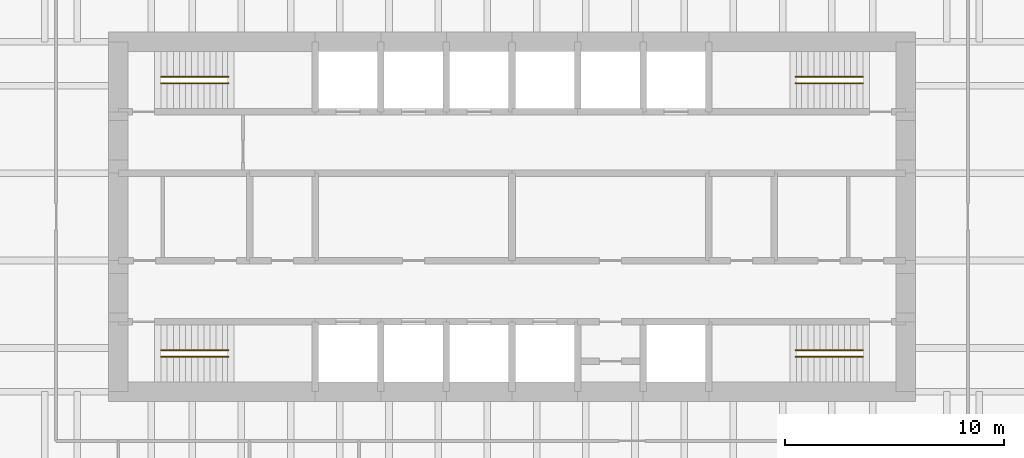
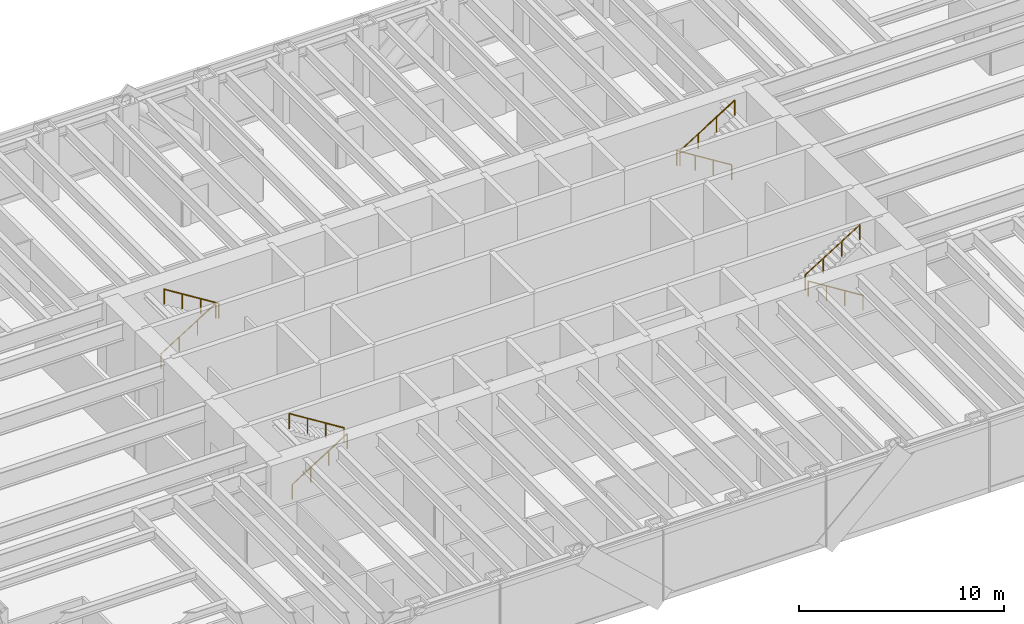
# One storey, part 17 of 17: 8 railings.
"""IFC4 building model written with IfcOpenShell, lengths in metres."""

from ifc_helpers import new_model, si_unit, direction, frame, origin, origin_2d, place, context, subcontext, project, spatial, circle, extrude, material, type_object, element, save


model = new_model("IFC4")

# Units and contexts
model_context = context("Model", 3, precision=1e-05, world=origin(), true_north=direction((0.0, 1.0)))
body_context = subcontext(model_context, "Body", "Model", "MODEL_VIEW")
ifc_project = project(units=[si_unit("LENGTHUNIT", "METRE"), si_unit("AREAUNIT", "SQUARE_METRE"), si_unit("VOLUMEUNIT", "CUBIC_METRE"), si_unit("PLANEANGLEUNIT", "RADIAN"), si_unit("MASSUNIT", "GRAM", prefix="KILO")], contexts=[model_context])

# Site, building, storey
site_placement = place(None, origin())
site = spatial("IfcSite", under=ifc_project, at=site_placement, CompositionType="ELEMENT")
building_placement = place(site_placement, origin())
building = spatial("IfcBuilding", under=site, at=building_placement, Name="Rheinbord Bourse Tower", CompositionType="ELEMENT")
storey_placement = place(building_placement, frame((0.0, 0.0, 159.300048828125)))
storey = spatial("IfcBuildingStorey", under=building, at=storey_placement, Name="L35", CompositionType="ELEMENT", Elevation=159.300048828125)

# Railings
ifc_material = material(Name="Steel handrail", Category="steel")
railing_type = type_object("IfcRailingType", Name="HANDRAIL 900", PredefinedType="HANDRAIL", material=ifc_material)
railing_1_placement = place(storey_placement, frame((19.949951171875, 17.60009765625, 0.175048828125)))
element("IfcRailing", 1, at=railing_1_placement, inside=storey, type_object=railing_type, Name="Handrail", PredefinedType="HANDRAIL", context=body_context, shape_type="SweptSolid", body=[
    extrude(circle(Radius=0.02392578125, at=origin_2d()), frame((0.0, 0.0, 0.8759765625), z_axis=(0.848028513186, 0.0, 0.529950602248), x_axis=(0.0, 1.0, 0.0)), (0.0, 0.0, 1.0), 3.632080078125),
    extrude(circle(Radius=0.02099609375, at=origin_2d()), origin(), (0.0, 0.0, 1.0), 0.851806640625),
    extrude(circle(Radius=0.02099609375, at=origin_2d()), frame((1.026611328125, 0.0, 0.6416015625)), (0.0, 0.0, 1.0), 0.851806640625),
    extrude(circle(Radius=0.02099609375, at=origin_2d()), frame((2.053466796875, 0.0, 1.283203125)), (0.0, 0.0, 1.0), 0.851806640625),
    extrude(circle(Radius=0.02099609375, at=origin_2d()), frame((3.080078125, 0.0, 1.9248046875)), (0.0, 0.0, 1.0), 0.851806640625),
])
railing_2_placement = place(storey_placement, frame((23.030029296875, 17.89990234375, 2.27490234375)))
element("IfcRailing", 2, at=railing_2_placement, inside=storey, type_object=railing_type, Name="Handrail", PredefinedType="HANDRAIL", context=body_context, shape_type="SweptSolid", body=[
    extrude(circle(Radius=0.02392578125, at=origin_2d()), frame((0.0, 0.0, 0.8759765625), z_axis=(-0.847998304005, 0.0, 0.529998940003), x_axis=(0.0, -1.0, 0.0)), (0.0, 0.0, 1.0), 3.632080078125),
    extrude(circle(Radius=0.02099609375, at=origin_2d()), origin(), (0.0, 0.0, 1.0), 0.851806640625),
    extrude(circle(Radius=0.02099609375, at=origin_2d()), frame((-1.026611328125, 0.0, 0.6416015625)), (0.0, 0.0, 1.0), 0.851806640625),
    extrude(circle(Radius=0.02099609375, at=origin_2d()), frame((-2.053466796875, 0.0, 1.283447265625)), (0.0, 0.0, 1.0), 0.851806640625),
    extrude(circle(Radius=0.02099609375, at=origin_2d()), frame((-3.080078125, 0.0, 1.925048828125)), (0.0, 0.0, 1.0), 0.851806640625),
])
railing_3_placement = place(storey_placement, frame((19.949951171875, 30.39990234375, 0.175048828125)))
element("IfcRailing", 3, at=railing_3_placement, inside=storey, type_object=railing_type, Name="Handrail", PredefinedType="HANDRAIL", context=body_context, shape_type="SweptSolid", body=[
    extrude(circle(Radius=0.02392578125, at=origin_2d()), frame((0.0, 0.0, 0.8759765625), z_axis=(0.848028513186, 0.0, 0.529950602248), x_axis=(0.0, 1.0, 0.0)), (0.0, 0.0, 1.0), 3.632080078125),
    extrude(circle(Radius=0.02099609375, at=origin_2d()), origin(), (0.0, 0.0, 1.0), 0.851806640625),
    extrude(circle(Radius=0.02099609375, at=origin_2d()), frame((1.026611328125, 0.0, 0.6416015625)), (0.0, 0.0, 1.0), 0.851806640625),
    extrude(circle(Radius=0.02099609375, at=origin_2d()), frame((2.053466796875, 0.0, 1.283203125)), (0.0, 0.0, 1.0), 0.851806640625),
    extrude(circle(Radius=0.02099609375, at=origin_2d()), frame((3.080078125, 0.0, 1.9248046875)), (0.0, 0.0, 1.0), 0.851806640625),
])
railing_4_placement = place(storey_placement, frame((23.030029296875, 30.10009765625, 2.27490234375)))
element("IfcRailing", 4, at=railing_4_placement, inside=storey, type_object=railing_type, Name="Handrail", PredefinedType="HANDRAIL", context=body_context, shape_type="SweptSolid", body=[
    extrude(circle(Radius=0.02392578125, at=origin_2d()), frame((0.0, 0.0, 0.8759765625), z_axis=(-0.847998304005, 0.0, 0.529998940003), x_axis=(0.0, -1.0, 0.0)), (0.0, 0.0, 1.0), 3.632080078125),
    extrude(circle(Radius=0.02099609375, at=origin_2d()), origin(), (0.0, 0.0, 1.0), 0.851806640625),
    extrude(circle(Radius=0.02099609375, at=origin_2d()), frame((-1.026611328125, 0.0, 0.6416015625)), (0.0, 0.0, 1.0), 0.851806640625),
    extrude(circle(Radius=0.02099609375, at=origin_2d()), frame((-2.053466796875, 0.0, 1.283447265625)), (0.0, 0.0, 1.0), 0.851806640625),
    extrude(circle(Radius=0.02099609375, at=origin_2d()), frame((-3.080078125, 0.0, 1.925048828125)), (0.0, 0.0, 1.0), 0.851806640625),
])
railing_5_placement = place(storey_placement, frame((52.050048828125, 17.60009765625, 0.175048828125)))
element("IfcRailing", 5, at=railing_5_placement, inside=storey, type_object=railing_type, Name="Handrail", PredefinedType="HANDRAIL", context=body_context, shape_type="SweptSolid", body=[
    extrude(circle(Radius=0.02392578125, at=origin_2d()), frame((0.0, 0.0, 0.8759765625), z_axis=(-0.848028513186, 0.0, 0.529950602248), x_axis=(0.0, -1.0, 0.0)), (0.0, 0.0, 1.0), 3.632080078125),
    extrude(circle(Radius=0.02099609375, at=origin_2d()), origin(), (0.0, 0.0, 1.0), 0.851806640625),
    extrude(circle(Radius=0.02099609375, at=origin_2d()), frame((-1.026611328125, 0.0, 0.6416015625)), (0.0, 0.0, 1.0), 0.851806640625),
    extrude(circle(Radius=0.02099609375, at=origin_2d()), frame((-2.053466796875, 0.0, 1.283203125)), (0.0, 0.0, 1.0), 0.851806640625),
    extrude(circle(Radius=0.02099609375, at=origin_2d()), frame((-3.080078125, 0.0, 1.9248046875)), (0.0, 0.0, 1.0), 0.851806640625),
])
railing_6_placement = place(storey_placement, frame((48.969970703125, 17.89990234375, 2.27490234375)))
element("IfcRailing", 6, at=railing_6_placement, inside=storey, type_object=railing_type, Name="Handrail", PredefinedType="HANDRAIL", context=body_context, shape_type="SweptSolid", body=[
    extrude(circle(Radius=0.02392578125, at=origin_2d()), frame((0.0, 0.0, 0.8759765625), z_axis=(0.847998304005, 0.0, 0.529998940003), x_axis=(0.0, 1.0, 0.0)), (0.0, 0.0, 1.0), 3.632080078125),
    extrude(circle(Radius=0.02099609375, at=origin_2d()), origin(), (0.0, 0.0, 1.0), 0.851806640625),
    extrude(circle(Radius=0.02099609375, at=origin_2d()), frame((1.026611328125, 0.0, 0.6416015625)), (0.0, 0.0, 1.0), 0.851806640625),
    extrude(circle(Radius=0.02099609375, at=origin_2d()), frame((2.053466796875, 0.0, 1.283447265625)), (0.0, 0.0, 1.0), 0.851806640625),
    extrude(circle(Radius=0.02099609375, at=origin_2d()), frame((3.080078125, 0.0, 1.925048828125)), (0.0, 0.0, 1.0), 0.851806640625),
])
railing_7_placement = place(storey_placement, frame((52.050048828125, 30.39990234375, 0.175048828125)))
element("IfcRailing", 7, at=railing_7_placement, inside=storey, type_object=railing_type, Name="Handrail", PredefinedType="HANDRAIL", context=body_context, shape_type="SweptSolid", body=[
    extrude(circle(Radius=0.02392578125, at=origin_2d()), frame((0.0, 0.0, 0.8759765625), z_axis=(-0.848028513186, 0.0, 0.529950602248), x_axis=(0.0, -1.0, 0.0)), (0.0, 0.0, 1.0), 3.632080078125),
    extrude(circle(Radius=0.02099609375, at=origin_2d()), origin(), (0.0, 0.0, 1.0), 0.851806640625),
    extrude(circle(Radius=0.02099609375, at=origin_2d()), frame((-1.026611328125, 0.0, 0.6416015625)), (0.0, 0.0, 1.0), 0.851806640625),
    extrude(circle(Radius=0.02099609375, at=origin_2d()), frame((-2.053466796875, 0.0, 1.283203125)), (0.0, 0.0, 1.0), 0.851806640625),
    extrude(circle(Radius=0.02099609375, at=origin_2d()), frame((-3.080078125, 0.0, 1.9248046875)), (0.0, 0.0, 1.0), 0.851806640625),
])
railing_8_placement = place(storey_placement, frame((48.969970703125, 30.10009765625, 2.27490234375)))
element("IfcRailing", 8, at=railing_8_placement, inside=storey, type_object=railing_type, Name="Handrail", PredefinedType="HANDRAIL", context=body_context, shape_type="SweptSolid", body=[
    extrude(circle(Radius=0.02392578125, at=origin_2d()), frame((0.0, 0.0, 0.8759765625), z_axis=(0.847998304005, 0.0, 0.529998940003), x_axis=(0.0, 1.0, 0.0)), (0.0, 0.0, 1.0), 3.632080078125),
    extrude(circle(Radius=0.02099609375, at=origin_2d()), origin(), (0.0, 0.0, 1.0), 0.851806640625),
    extrude(circle(Radius=0.02099609375, at=origin_2d()), frame((1.026611328125, 0.0, 0.6416015625)), (0.0, 0.0, 1.0), 0.851806640625),
    extrude(circle(Radius=0.02099609375, at=origin_2d()), frame((2.053466796875, 0.0, 1.283447265625)), (0.0, 0.0, 1.0), 0.851806640625),
    extrude(circle(Radius=0.02099609375, at=origin_2d()), frame((3.080078125, 0.0, 1.925048828125)), (0.0, 0.0, 1.0), 0.851806640625),
])

save(model, "model.ifc")
